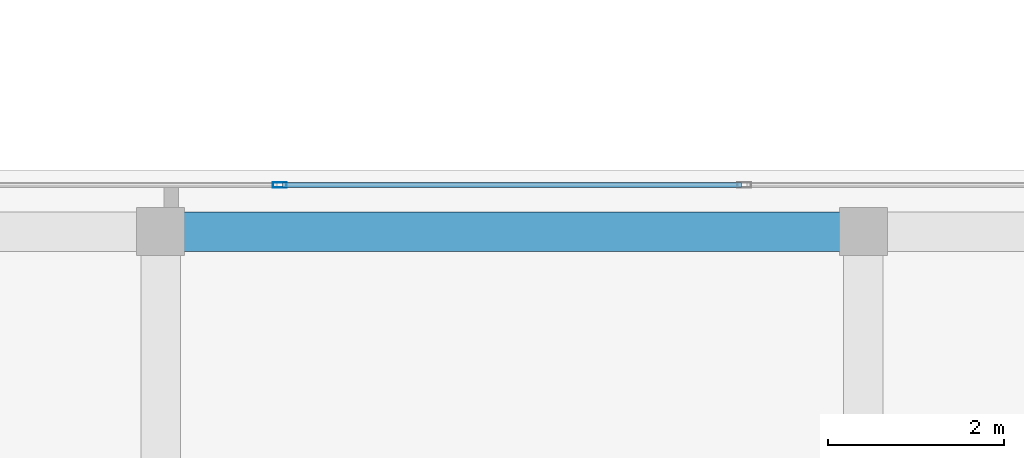
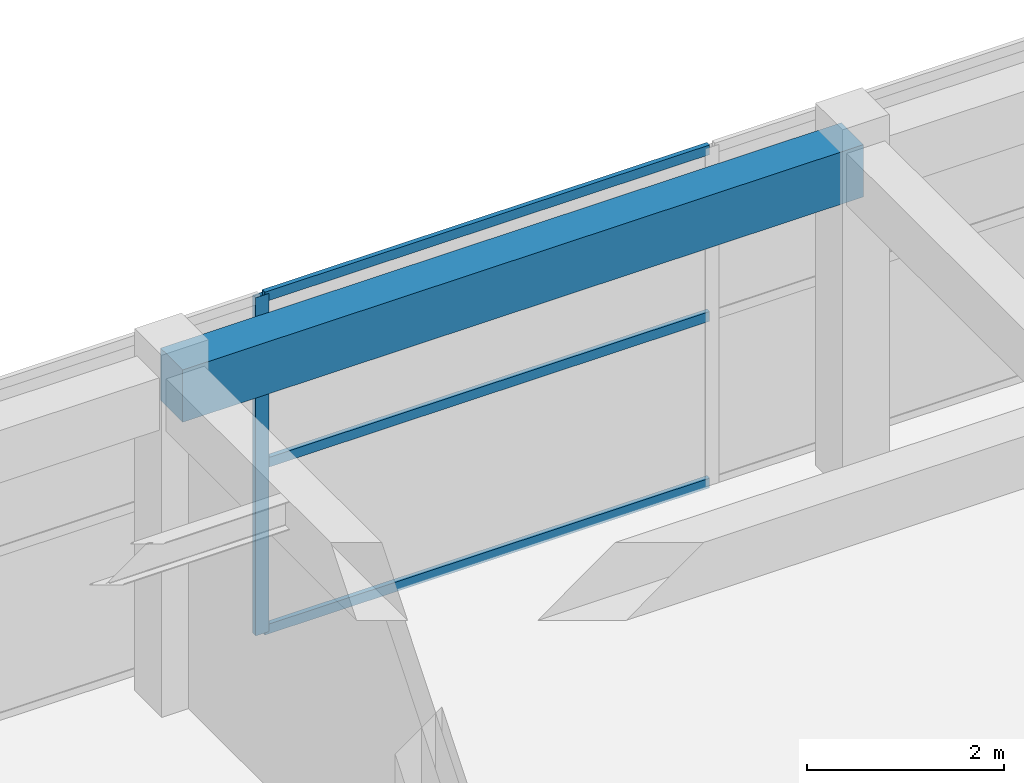
# One storey, part 19 of 33: 4 members, 1 beam, 1 element without a shape of its own.
"""IFC4 building model written with IfcOpenShell, lengths in metres."""

import ifcopenshell
import ifcopenshell.guid

model = None  # the IFC model being written
_history = None  # IfcOwnerHistory: only IFC2X3 demands one
_inside = {}  # id of a spatial element -> (the spatial element, [elements in it])
_under = {}  # id of a project, library or spatial element -> (it, [spatial elements below it])
_declared = {}  # id of a project -> (the project, [libraries it declares])
_typed = {}  # id of a type object -> (the type object, [elements of that type])
_made_of = {}  # id of a material, layer set ... -> (it, [elements and type objects made of it])


def new_model(schema):
    """Start an empty IFC model of exactly this schema.

    Asked for "IFC4X3", IfcOpenShell would pick the latest addendum, in which some entities
    have other attributes; the version numbers below select the first issue.
    IFC2X3 requires an IfcOwnerHistory on every rooted entity: one is made here for all.
    """
    global model, _history
    if schema == "IFC4X3":
        model = ifcopenshell.file(schema_version=(4, 3, 0, 0))
    else:
        model = ifcopenshell.file(schema=schema)
    _inside.clear()
    _under.clear()
    _declared.clear()
    _typed.clear()
    _made_of.clear()
    _history = None
    if model.schema == "IFC2X3":
        org = make("IfcOrganization", Name="unknown")
        user = make(
            "IfcPersonAndOrganization",
            ThePerson=make("IfcPerson", FamilyName="unknown"),
            TheOrganization=org,
        )
        app = make(
            "IfcApplication",
            ApplicationDeveloper=org,
            Version="unknown",
            ApplicationFullName="unknown",
            ApplicationIdentifier="unknown",
        )
        _history = make(
            "IfcOwnerHistory",
            OwningUser=user,
            OwningApplication=app,
            ChangeAction="ADDED",
            CreationDate=0,
        )
    return model


def make(cls, **values):
    """One entity of the class cls with the attributes given. An attribute that is None is left unset."""
    return model.create_entity(
        cls, **{name: value for name, value in values.items() if value is not None}
    )


def rooted(cls, **values):
    """An entity with a GlobalId (a new one), such as an element, a storey or a relation."""
    return make(cls, GlobalId=ifcopenshell.guid.new(), OwnerHistory=_history, **values)


def si_unit(unit_type, name, prefix=None):
    """IfcSIUnit, for example si_unit("LENGTHUNIT", "METRE", prefix="MILLI")."""
    return make("IfcSIUnit", UnitType=unit_type, Prefix=prefix, Name=name)


def assignment(units):
    """IfcUnitAssignment: the units of a project."""
    return None if units is None else make("IfcUnitAssignment", Units=units)


def point(xyz):
    """IfcCartesianPoint."""
    return None if xyz is None else make("IfcCartesianPoint", Coordinates=xyz)


def direction(xyz):
    """IfcDirection."""
    return None if xyz is None else make("IfcDirection", DirectionRatios=xyz)


def frame(location, z_axis=None, x_axis=None):
    """IfcAxis2Placement3D, a coordinate frame: its origin and axes. An axis left out is left unset."""
    return make(
        "IfcAxis2Placement3D",
        Location=point(location),
        Axis=direction(z_axis),
        RefDirection=direction(x_axis),
    )


def frame_2d(location, x_axis=None):
    """IfcAxis2Placement2D, a coordinate frame in the plane: its origin and x axis."""
    return make(
        "IfcAxis2Placement2D", Location=point(location), RefDirection=direction(x_axis)
    )


def origin():
    """The frame at (0, 0, 0) with its axes left unset."""
    return frame((0.0, 0.0, 0.0))


def origin_2d():
    """The frame at (0, 0) in the plane with its x axis left unset."""
    return frame_2d((0.0, 0.0))


def place(relative_to, where):
    """IfcLocalPlacement: puts the frame where relative to a parent placement (None: the world)."""
    return make(
        "IfcLocalPlacement", PlacementRelTo=relative_to, RelativePlacement=where
    )


def context(
    kind, dimensions, precision=None, world=None, true_north=None, identifier=None
):
    """IfcGeometricRepresentationContext, for example the 3D "Model" context."""
    return make(
        "IfcGeometricRepresentationContext",
        ContextIdentifier=identifier,
        ContextType=kind,
        CoordinateSpaceDimension=dimensions,
        Precision=precision,
        WorldCoordinateSystem=world,
        TrueNorth=true_north,
    )


def subcontext(parent, identifier, kind, view, scale=None):
    """IfcGeometricRepresentationSubContext, for example "Body" below "Model"."""
    return make(
        "IfcGeometricRepresentationSubContext",
        ContextIdentifier=identifier,
        ContextType=kind,
        ParentContext=parent,
        TargetScale=scale,
        TargetView=view,
    )


def project(units=None, contexts=None):
    """IfcProject with its units and contexts."""
    return rooted(
        "IfcProject",
        Name="project",
        RepresentationContexts=contexts,
        UnitsInContext=assignment(units),
    )


def spatial(cls, under=None, at=None, **own):
    """A site, building, storey or space (cls), placed at a placement, below another one or the project."""
    s = rooted(cls, ObjectPlacement=at, **own)
    if under is not None:
        _under.setdefault(under.id(), (under, []))[1].append(s)
    return s


def profile(cls, at=None, kind="AREA", **sizes):
    """A parametric profile (cls). Its sizes go by their IFC names, for example OverallWidth=200.0."""
    return make(cls, ProfileType=kind, Position=at, **sizes)


def rectangle(**sizes):
    """IfcRectangleProfileDef."""
    return profile("IfcRectangleProfileDef", **sizes)


def hollow_rectangle(**sizes):
    """IfcRectangleHollowProfileDef."""
    return profile("IfcRectangleHollowProfileDef", **sizes)


def extrude(swept, where, along, depth):
    """IfcExtrudedAreaSolid: the profile swept, set in the frame where, extruded along a direction by depth."""
    return make(
        "IfcExtrudedAreaSolid",
        SweptArea=swept,
        Position=where,
        ExtrudedDirection=direction(along),
        Depth=depth,
    )


def shape(context_of_items, identifier, shape_type, items):
    """IfcShapeRepresentation: the items that make up one representation, for example the "Body"."""
    return make(
        "IfcShapeRepresentation",
        ContextOfItems=context_of_items,
        RepresentationIdentifier=identifier,
        RepresentationType=shape_type,
        Items=items,
    )


def source(mapping_origin, context_of_items, identifier, shape_type, items):
    """IfcRepresentationMap: a shape defined once, which mapped items show again and again."""
    return make(
        "IfcRepresentationMap",
        MappingOrigin=mapping_origin,
        MappedRepresentation=shape(context_of_items, identifier, shape_type, items),
    )


def transform(
    local_origin,
    x_axis=None,
    y_axis=None,
    z_axis=None,
    scale=None,
    scale2=None,
    scale3=None,
    uniform=True,
):
    """IfcCartesianTransformationOperator3D, or its non-uniform kind. x_axis, y_axis, z_axis: its Axis1, 2, 3."""
    if uniform:
        return make(
            "IfcCartesianTransformationOperator3D",
            Axis1=direction(x_axis),
            Axis2=direction(y_axis),
            LocalOrigin=point(local_origin),
            Scale=scale,
            Axis3=direction(z_axis),
        )
    return make(
        "IfcCartesianTransformationOperator3DnonUniform",
        Axis1=direction(x_axis),
        Axis2=direction(y_axis),
        LocalOrigin=point(local_origin),
        Scale=scale,
        Axis3=direction(z_axis),
        Scale2=scale2,
        Scale3=scale3,
    )


def mapped(mapping_source, mapping_target):
    """IfcMappedItem: shows the shape of a source again, moved by a transform."""
    return make(
        "IfcMappedItem", MappingSource=mapping_source, MappingTarget=mapping_target
    )


def material(Name=None, Category=None):
    """IfcMaterial."""
    return make("IfcMaterial", Name=Name, Category=Category)


def layer(
    of_material, thickness, ventilated=None, Name=None, Category=None, Priority=None
):
    """IfcMaterialLayer: one layer of a wall or slab, of a material (None: an air gap)."""
    return make(
        "IfcMaterialLayer",
        Material=of_material,
        LayerThickness=thickness,
        IsVentilated=ventilated,
        Name=Name,
        Category=Category,
        Priority=Priority,
    )


def layer_set(layers, Name=None):
    """IfcMaterialLayerSet."""
    return make("IfcMaterialLayerSet", MaterialLayers=layers, LayerSetName=Name)


def material_profile(
    of_material, cross_section, Name=None, Category=None, Priority=None
):
    """IfcMaterialProfile: a cross section and its material."""
    return make(
        "IfcMaterialProfile",
        Name=Name,
        Material=of_material,
        Profile=cross_section,
        Priority=Priority,
        Category=Category,
    )


def profile_set(profiles, Name=None, composite=None):
    """IfcMaterialProfileSet."""
    return make(
        "IfcMaterialProfileSet",
        Name=Name,
        MaterialProfiles=profiles,
        CompositeProfile=composite,
    )


def made_of(thing, what):
    """Note that an element or type object is made of a material, layer set ...; save() writes the relation."""
    if what is not None:
        _made_of.setdefault(what.id(), (what, []))[1].append(thing)
    return thing


def type_object(cls, material=None, **own):
    """A type object (cls), such as IfcWallType, which elements share."""
    return made_of(rooted(cls, **own), material)


def element(
    cls,
    number,
    at=None,
    inside=None,
    cuts=None,
    type_object=None,
    material=None,
    context=None,
    identifier="Body",
    shape_type=None,
    held_by="IfcProductDefinitionShape",
    body=None,
    shapes=None,
    **own,
):
    """One element of the class cls, such as IfcWall. Its Tag is "e" and its number.

    at: its placement. inside: the storey or other place that contains it. cuts: it is an
    opening in that element (IfcRelVoidsElement). A single representation is given by context,
    identifier, shape_type and body (its items); several are given by shapes. held_by: the class
    of the entity that holds the representations. save() writes the other relations.
    """
    e = rooted(cls, Tag="e%d" % number, ObjectPlacement=at, **own)
    if body is not None:
        shapes = [shape(context, identifier, shape_type, body)]
    if shapes is not None:
        e.Representation = make(held_by, Representations=shapes)
    if inside is not None:
        _inside.setdefault(inside.id(), (inside, []))[1].append(e)
    if cuts is not None:
        rooted(
            "IfcRelVoidsElement", RelatingBuildingElement=cuts, RelatedOpeningElement=e
        )
    if type_object is not None:
        _typed.setdefault(type_object.id(), (type_object, []))[1].append(e)
    return made_of(e, material)


def aggregate(whole, parts):
    """IfcRelAggregates: a whole, such as a stair, and the parts it consists of."""
    return rooted("IfcRelAggregates", RelatingObject=whole, RelatedObjects=parts)


def save(model, path):
    """Write the relations noted so far, then the file.

    IfcRelAggregates (storeys below a building ...), IfcRelContainedInSpatialStructure (elements
    in a storey), IfcRelDefinesByType, IfcRelAssociatesMaterial and IfcRelDeclares: one each for
    every whole, place, type object, material and project.
    """
    for whole, parts in _under.values():
        aggregate(whole, parts)
    for where, things in _inside.values():
        rooted(
            "IfcRelContainedInSpatialStructure",
            RelatedElements=things,
            RelatingStructure=where,
        )
    for kind, things in _typed.values():
        rooted("IfcRelDefinesByType", RelatedObjects=things, RelatingType=kind)
    for what, things in _made_of.values():
        rooted("IfcRelAssociatesMaterial", RelatedObjects=things, RelatingMaterial=what)
    for by, libraries in _declared.values():
        rooted("IfcRelDeclares", RelatingContext=by, RelatedDefinitions=libraries)
    model.write(path)


model = new_model("IFC4")

# Units and contexts
model_context = context("Model", 3, precision=1e-05, world=origin(), true_north=direction((0.0, 1.0)))
body_context = subcontext(model_context, "Body", "Model", "MODEL_VIEW")
ifc_project = project(units=[si_unit("LENGTHUNIT", "METRE"), si_unit("AREAUNIT", "SQUARE_METRE"), si_unit("VOLUMEUNIT", "CUBIC_METRE"), si_unit("PLANEANGLEUNIT", "RADIAN"), si_unit("MASSUNIT", "GRAM", prefix="KILO")], contexts=[model_context])

# Site, building, storey
site_placement = place(None, origin())
site = spatial("IfcSite", under=ifc_project, at=site_placement, CompositionType="ELEMENT")
building_placement = place(site_placement, origin())
building = spatial("IfcBuilding", under=site, at=building_placement, Name="Khoralis Quay Care Tower", CompositionType="ELEMENT")
storey_placement = place(building_placement, frame((0.0, 0.0, 18.0)))
storey = spatial("IfcBuildingStorey", under=building, at=storey_placement, Name="L04", CompositionType="ELEMENT", Elevation=18.0)

# Beam
ifc_material_1 = material(Name="Concrete C40/50", Category="concrete")
ifc_material_profile_1 = material_profile(ifc_material_1, rectangle(XDim=0.449951171875, YDim=0.64990234375, at=origin_2d()), Name="Concrete C40/50")
ifc_profile_set_1 = profile_set([ifc_material_profile_1], Name="Concrete C40/50")
beam_type = type_object("IfcBeamType", Name="BM-RC450X650", PredefinedType="BEAM", material=ifc_profile_set_1)
shared_shape_1 = source(origin(), body_context, "Body", "SweptSolid", [
    extrude(rectangle(XDim=0.449951171875, YDim=0.64990234375, at=origin_2d()), origin(), (0.0, 0.0, 1.0), 8.0),
])
beam_placement = place(storey_placement, frame((84.0, 41.300048828125, 3.864990234375), z_axis=(1.0, 0.0, 0.0), x_axis=(0.0, 1.0, 0.0)))
element("IfcBeam", 1, at=beam_placement, inside=storey, type_object=beam_type, Name="BM-SCX-L04-21", PredefinedType="BEAM", context=body_context, shape_type="MappedRepresentation", body=[
    mapped(shared_shape_1, transform((0.0, 0.0, 0.0), scale=1.0)),
])

# Curtain wall, members
ifc_material_2 = material(Name="Pale anodised aluminium", Category="aluminium")
ifc_layer = layer(ifc_material_2, 0.14990234375)
ifc_layer_set = layer_set([ifc_layer], Name="Pale anodised aluminium")
curtain_wall_type = type_object("IfcCurtainWallType", Name="CW-SYS-SCHOOL", PredefinedType="NOTDEFINED", material=ifc_layer_set)
curtain_wall_placement = place(storey_placement, origin())
curtain_wall = element("IfcCurtainWall", 2, at=curtain_wall_placement, inside=storey, type_object=curtain_wall_type, Name="L04 Unitised Curtain Wall CW-SCH-L04-E3", PredefinedType="NOTDEFINED")
ifc_material_profile_2 = material_profile(ifc_material_2, hollow_rectangle(XDim=0.06005859375, YDim=0.159912109375, WallThickness=0.00390625, at=origin_2d()), Name="Pale anodised aluminium")
ifc_profile_set_2 = profile_set([ifc_material_profile_2], Name="Pale anodised aluminium")
member_type_1 = type_object("IfcMemberType", Name="CW-MUL-160", PredefinedType="MULLION", material=ifc_profile_set_2)
shared_shape_2 = source(origin(), body_context, "Body", "SweptSolid", [
    extrude(hollow_rectangle(XDim=0.06005859375, YDim=0.159912109375, WallThickness=0.00390625, at=origin_2d()), origin(), (0.0, 0.0, 1.0), 4.199951171875),
])
member_1_placement = place(storey_placement, frame((85.35595703125, 41.830078125, 0.0), z_axis=(0.0, 0.0, 1.0), x_axis=(0.0, -1.0, 0.0)))
member_1 = element("IfcMember", 3, at=member_1_placement, type_object=member_type_1, Name="CW6 mullion 3", PredefinedType="MULLION", context=body_context, shape_type="MappedRepresentation", body=[
    mapped(shared_shape_2, transform((0.0, 0.0, 0.0), scale=1.0)),
])
ifc_material_profile_3 = material_profile(ifc_material_2, hollow_rectangle(XDim=0.054931640625, YDim=0.1201171875, WallThickness=0.00390625, at=origin_2d()), Name="Pale anodised aluminium")
ifc_profile_set_3 = profile_set([ifc_material_profile_3], Name="Pale anodised aluminium")
member_type_2 = type_object("IfcMemberType", Name="CW-TRN-120", PredefinedType="USERDEFINED", material=ifc_profile_set_3)
shared_shape_3 = source(origin(), body_context, "Body", "SweptSolid", [
    extrude(hollow_rectangle(XDim=0.054931640625, YDim=0.1201171875, WallThickness=0.00390625, at=origin_2d()), origin(), (0.0, 0.0, 1.0), 5.22802734375),
])
member_2_placement = place(storey_placement, frame((90.614013671875, 41.830078125, 0.030029296875), z_axis=(-1.0, 0.0, 0.0), x_axis=(0.0, -1.0, 0.0)))
member_2 = element("IfcMember", 4, at=member_2_placement, type_object=member_type_2, Name="CW6 transom 2.1", ObjectType="TRANSOM", PredefinedType="USERDEFINED", context=body_context, shape_type="MappedRepresentation", body=[
    mapped(shared_shape_3, transform((0.0, 0.0, 0.0), scale=1.0)),
])
member_3_placement = place(storey_placement, frame((90.614013671875, 41.830078125, 2.10009765625), z_axis=(-1.0, 0.0, 0.0), x_axis=(0.0, -1.0, 0.0)))
member_3 = element("IfcMember", 5, at=member_3_placement, type_object=member_type_2, Name="CW6 transom 2.2", ObjectType="TRANSOM", PredefinedType="USERDEFINED", context=body_context, shape_type="MappedRepresentation", body=[
    mapped(shared_shape_3, transform((0.0, 0.0, 0.0), scale=1.0)),
])
member_4_placement = place(storey_placement, frame((90.614013671875, 41.830078125, 4.169921875), z_axis=(-1.0, 0.0, 0.0), x_axis=(0.0, -1.0, 0.0)))
member_4 = element("IfcMember", 6, at=member_4_placement, type_object=member_type_2, Name="CW6 transom 2.3", ObjectType="TRANSOM", PredefinedType="USERDEFINED", context=body_context, shape_type="MappedRepresentation", body=[
    mapped(shared_shape_3, transform((0.0, 0.0, 0.0), scale=1.0)),
])
aggregate(curtain_wall, [member_1, member_2, member_3, member_4])

save(model, "model.ifc")
